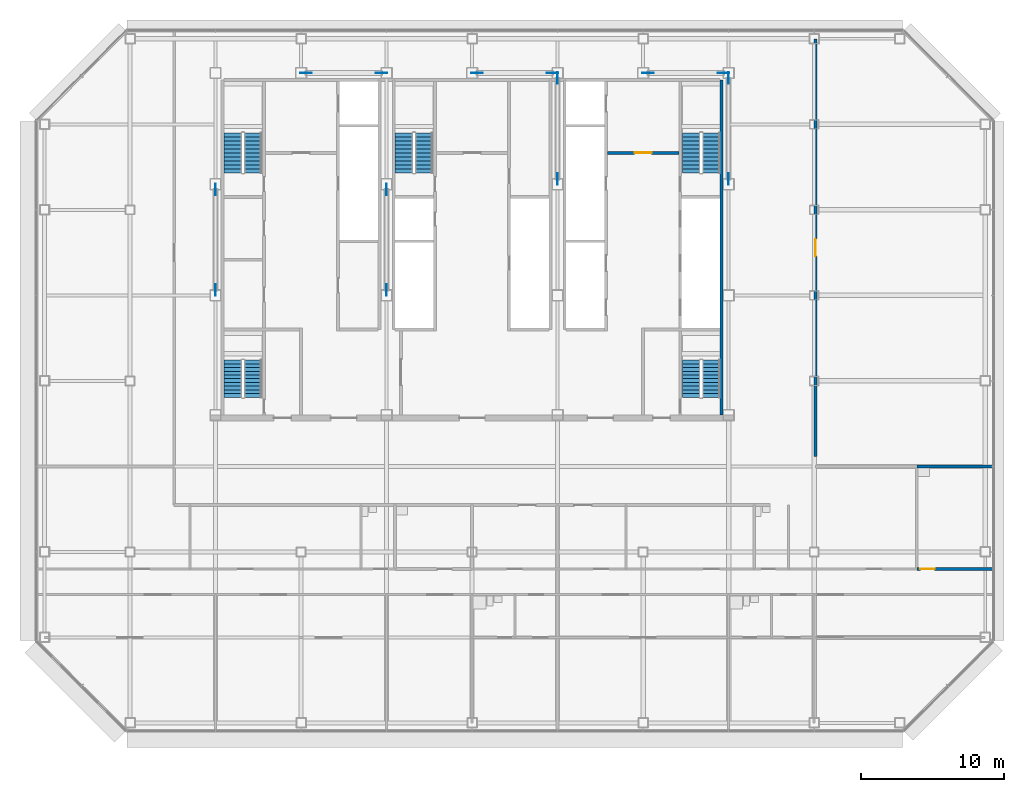
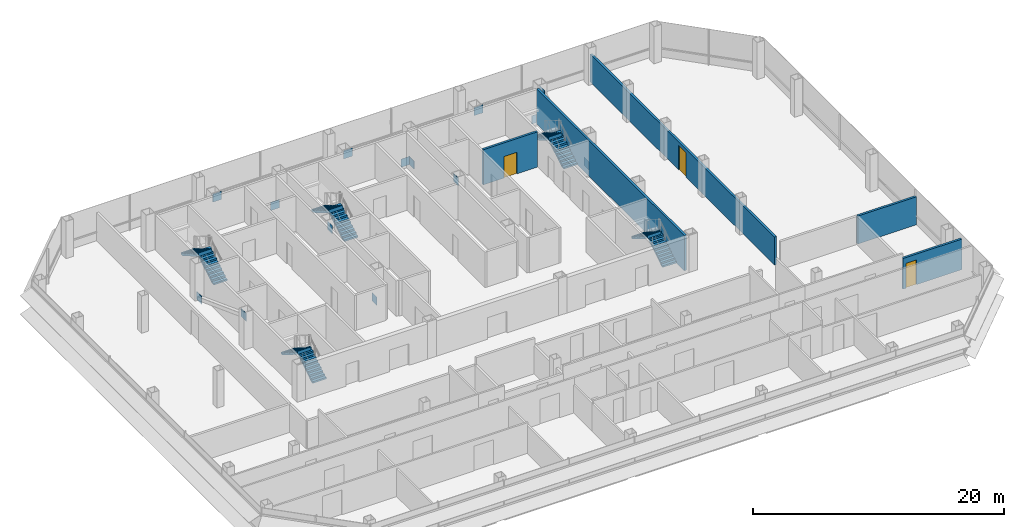
# One storey, part 22 of 24: 14 discrete accessories, 10 stair flights, 5 walls, 3 doors, 3 openings, 5 elements without a shape of their own.
"""IFC4 building model written with IfcOpenShell, lengths in metres."""

from ifc_helpers import new_model, si_unit, direction, frame, frame_2d, origin, origin_2d, place, context, subcontext, project, spatial, polyline, rectangle, outline, extrude, material, layer, layer_set, type_object, element, fill, aggregate, save


model = new_model("IFC4")

# Units and contexts
model_context = context("Model", 3, precision=1e-05, world=origin(), true_north=direction((0.0, 1.0)))
body_context = subcontext(model_context, "Body", "Model", "MODEL_VIEW")
ifc_project = project(units=[si_unit("LENGTHUNIT", "METRE"), si_unit("AREAUNIT", "SQUARE_METRE"), si_unit("VOLUMEUNIT", "CUBIC_METRE"), si_unit("PLANEANGLEUNIT", "RADIAN"), si_unit("MASSUNIT", "GRAM", prefix="KILO")], contexts=[model_context])

# Site, building, storey
site_placement = place(None, origin())
site = spatial("IfcSite", under=ifc_project, at=site_placement, CompositionType="ELEMENT")
building_placement = place(site_placement, origin())
building = spatial("IfcBuilding", under=site, at=building_placement, Name="Sorahane Residences", CompositionType="ELEMENT")
storey_placement = place(building_placement, frame((0.0, 0.0, 178.0)))
storey = spatial("IfcBuildingStorey", under=building, at=storey_placement, Name="L41", CompositionType="ELEMENT", Elevation=178.0)

# Wall
ifc_material_1 = material(Name="Concrete C30", Category="concrete")
ifc_layer_1 = layer(ifc_material_1, 0.199951171875)
ifc_layer_set_1 = layer_set([ifc_layer_1], Name="Core face wall 200 EI 180")
wall_type_1 = type_object("IfcWallType", Name="Core face wall 200 EI 180", PredefinedType="SOLIDWALL", material=ifc_layer_set_1)
wall_1_placement = place(storey_placement, frame((41.5, 21.60009765625, 0.0), z_axis=(0.0, 0.0, 1.0), x_axis=(0.0, 1.0, 0.0)))
element("IfcWall", 1, at=wall_1_placement, inside=storey, type_object=wall_type_1, Name="L41 core face wall", PredefinedType="SOLIDWALL", context=body_context, shape_type="SweptSolid", body=[
    extrude(rectangle(XDim=23.5, YDim=0.199951171875, at=frame_2d((11.75, 0.0))), origin(), (0.0, 0.0, 1.0), 3.419921875),
])

# Wall, opening, door
ifc_material_2 = material(Name="Concrete blockwork C20 wall", Category="masonry")
ifc_layer_2 = layer(ifc_material_2, 0.199951171875)
ifc_layer_set_2 = layer_set([ifc_layer_2], Name="Corridor wall 200 EI 120")
wall_type_2 = type_object("IfcWallType", Name="Corridor wall 200 EI 120", PredefinedType="SOLIDWALL", material=ifc_layer_set_2)
wall_2_placement = place(storey_placement, frame((48.10009765625, 18.699951171875, 0.0), z_axis=(0.0, 0.0, 1.0), x_axis=(0.0, 1.0, 0.0)))
wall_2 = element("IfcWall", 2, at=wall_2_placement, inside=storey, type_object=wall_type_2, Name="L41 corridor wall", PredefinedType="SOLIDWALL", context=body_context, shape_type="SweptSolid", body=[
    extrude(rectangle(XDim=29.300048828125, YDim=0.199951171875, at=frame_2d((14.64990234375, 0.0))), origin(), (0.0, 0.0, 1.0), 2.719970703125),
])
opening_1_placement = place(wall_2_placement, frame((14.050048828125, 0.0, 0.0)))
opening_1 = element("IfcOpeningElement", 3, at=opening_1_placement, cuts=wall_2, Name="Opening L41-29", PredefinedType="OPENING", context=body_context, shape_type="SweptSolid", body=[
    extrude(rectangle(XDim=1.199951171875, YDim=2.39990234375, at=frame_2d((0.60009765625, 1.199951171875))), frame((0.0, 0.10986328125, 0.0), z_axis=(0.0, -1.0, 0.0), x_axis=(1.0, 0.0, 0.0)), (0.0, 0.0, 1.0), 0.219970703125),
])
ifc_material_3 = material(Name="Steel", Category="steel")
door_type_1 = type_object("IfcDoorType", Name="Lobby door 1200x2400 FD60", OperationType="NOTDEFINED", PredefinedType="DOOR", material=ifc_material_3)
door_1_placement = place(opening_1_placement, frame((1.199951171875, 0.0, 0.0), z_axis=(0.0, 0.0, 1.0), x_axis=(-1.0, 0.0, 0.0)))
door_1 = element("IfcDoor", 4, at=door_1_placement, inside=storey, type_object=door_type_1, Name="Lobby door L41-29", OperationType="SINGLE_SWING_RIGHT", OverallHeight=2.39990234375, OverallWidth=1.199951171875, PredefinedType="DOOR", context=body_context, shape_type="SweptSolid", body=[
    extrude(rectangle(XDim=1.199951171875, YDim=2.39990234375, at=frame_2d((0.60009765625, 1.199951171875))), frame((0.0, 0.02490234375, 0.0), z_axis=(0.0, -1.0, 0.0), x_axis=(1.0, 0.0, 0.0)), (0.0, 0.0, 1.0), 0.050048828125),
])
fill(opening_1, door_1)

ifc_material_4 = material(Name="Concrete C30", Category="concrete")
ifc_layer_3 = layer(ifc_material_4, 0.199951171875)
ifc_layer_set_3 = layer_set([ifc_layer_3], Name="Front room wall 200 EI 120")
wall_type_3 = type_object("IfcWallType", Name="Front room wall 200 EI 120", PredefinedType="PARTITIONING", material=ifc_layer_set_3)
wall_3_placement = place(storey_placement, frame((33.5, 40.0, 0.0), z_axis=(0.0, 0.0, 1.0), x_axis=(1.0, 0.0, 0.0)))
wall_3 = element("IfcWall", 5, at=wall_3_placement, inside=storey, type_object=wall_type_3, Name="L41 front room wall", PredefinedType="PARTITIONING", context=body_context, shape_type="SweptSolid", body=[
    extrude(rectangle(XDim=5.0, YDim=0.199951171875, at=frame_2d((2.5, 0.0))), origin(), (0.0, 0.0, 1.0), 3.419921875),
])
opening_2_placement = place(wall_3_placement, frame((1.89990234375, 0.0, 0.0)))
opening_2 = element("IfcOpeningElement", 6, at=opening_2_placement, cuts=wall_3, Name="Opening L41-C09", PredefinedType="OPENING", context=body_context, shape_type="SweptSolid", body=[
    extrude(rectangle(XDim=1.199951171875, YDim=2.10009765625, at=frame_2d((0.60009765625, 1.050048828125))), frame((0.0, 0.10986328125, 0.0), z_axis=(0.0, -1.0, 0.0), x_axis=(1.0, 0.0, 0.0)), (0.0, 0.0, 1.0), 0.219970703125),
])
ifc_material_5 = material(Name="Steel", Category="steel")
door_type_2 = type_object("IfcDoorType", Name="Front room door 1200x2100 FD120", OperationType="NOTDEFINED", PredefinedType="DOOR", material=ifc_material_5)
door_2_placement = place(opening_2_placement, frame((1.199951171875, 0.0, 0.0), z_axis=(0.0, 0.0, 1.0), x_axis=(-1.0, 0.0, 0.0)))
door_2 = element("IfcDoor", 7, at=door_2_placement, inside=storey, type_object=door_type_2, Name="Front room door Firefighting lobby FF2 front room L41", OperationType="DOUBLE_DOOR_SINGLE_SWING", OverallHeight=2.10009765625, OverallWidth=1.199951171875, PredefinedType="DOOR", context=body_context, shape_type="SweptSolid", body=[
    extrude(rectangle(XDim=1.199951171875, YDim=2.10009765625, at=frame_2d((0.60009765625, 1.050048828125))), frame((0.0, 0.02490234375, 0.0), z_axis=(0.0, -1.0, 0.0), x_axis=(1.0, 0.0, 0.0)), (0.0, 0.0, 1.0), 0.050048828125),
])
fill(opening_2, door_2)

ifc_material_6 = material(Name="Concrete blockwork C20 wall", Category="masonry")
ifc_layer_4 = layer(ifc_material_6, 0.199951171875)
ifc_layer_set_4 = layer_set([ifc_layer_4], Name="Kitchen wall 200 EI 180")
wall_type_4 = type_object("IfcWallType", Name="Kitchen wall 200 EI 180", PredefinedType="SOLIDWALL", material=ifc_layer_set_4)
wall_4_placement = place(storey_placement, frame((55.199951171875, 10.800048828125, 0.0), z_axis=(0.0, 0.0, 1.0), x_axis=(1.0, 0.0, 0.0)))
wall_4 = element("IfcWall", 8, at=wall_4_placement, inside=storey, type_object=wall_type_4, Name="L41 kitchen wall", PredefinedType="SOLIDWALL", context=body_context, shape_type="SweptSolid", body=[
    extrude(rectangle(XDim=5.400146484375, YDim=0.199951171875, at=frame_2d((2.7001953125, 0.0))), origin(), (0.0, 0.0, 1.0), 2.969970703125),
])
opening_3_placement = place(wall_4_placement, frame((0.25, 0.0, 0.0)))
opening_3 = element("IfcOpeningElement", 9, at=opening_3_placement, cuts=wall_4, Name="Opening L41-18", PredefinedType="OPENING", context=body_context, shape_type="SweptSolid", body=[
    extrude(rectangle(XDim=1.0, YDim=2.39990234375, at=frame_2d((0.5, 1.199951171875))), frame((0.0, 0.10986328125, 0.0), z_axis=(0.0, -1.0, 0.0), x_axis=(1.0, 0.0, 0.0)), (0.0, 0.0, 1.0), 0.219970703125),
])
ifc_material_7 = material(Name="Steel", Category="steel")
door_type_3 = type_object("IfcDoorType", Name="Kitchen door 1000x2400 FD120", OperationType="NOTDEFINED", PredefinedType="DOOR", material=ifc_material_7)
door_3_placement = place(opening_3_placement, origin())
door_3 = element("IfcDoor", 10, at=door_3_placement, inside=storey, type_object=door_type_3, Name="Kitchen door L41-18", OperationType="SINGLE_SWING_RIGHT", OverallHeight=2.39990234375, OverallWidth=1.0, PredefinedType="DOOR", context=body_context, shape_type="SweptSolid", body=[
    extrude(rectangle(XDim=1.0, YDim=2.39990234375, at=frame_2d((0.5, 1.199951171875))), frame((0.0, 0.02490234375, 0.0), z_axis=(0.0, -1.0, 0.0), x_axis=(1.0, 0.0, 0.0)), (0.0, 0.0, 1.0), 0.050048828125),
])
fill(opening_3, door_3)

# Wall
wall_5_placement = place(storey_placement, frame((55.199951171875, 18.0, 0.0), z_axis=(0.0, 0.0, 1.0), x_axis=(1.0, 0.0, 0.0)))
element("IfcWall", 11, at=wall_5_placement, inside=storey, type_object=wall_type_4, Name="L41 kitchen wall", PredefinedType="SOLIDWALL", context=body_context, shape_type="SweptSolid", body=[
    extrude(rectangle(XDim=5.400146484375, YDim=0.199951171875, at=frame_2d((2.7001953125, 0.0))), origin(), (0.0, 0.0, 1.0), 2.719970703125),
])

# Stair, stair flights
ifc_material_8 = material(Name="Concrete C40", Category="concrete")
stair_type = type_object("IfcStairType", Name="Dog-leg stair 1250 Concrete C40", PredefinedType="HALF_TURN_STAIR", material=ifc_material_8)
stair_1_placement = place(storey_placement, origin())
stair_1 = element("IfcStair", 12, at=stair_1_placement, inside=storey, type_object=stair_type, Name="L41 Stair S1", PredefinedType="HALF_TURN_STAIR")
ifc_material_9 = material(Name="Concrete C40", Category="concrete")
stair_flight_type = type_object("IfcStairFlightType", Name="Stair flight 1250 Concrete C40", PredefinedType="STRAIGHT", material=ifc_material_9)
stair_flight_1_placement = place(storey_placement, frame((8.625, 38.60009765625, 0.0), z_axis=(0.0, 0.0, 1.0), x_axis=(0.0, 1.0, 0.0)))
stair_flight_1 = element("IfcStairFlight", 13, at=stair_flight_1_placement, type_object=stair_flight_type, Name="S1 flight 1", NumberOfRisers=11, NumberOfTreads=10, PredefinedType="STRAIGHT", RiserHeight=0.163636364, TreadLength=0.28, context=body_context, shape_type="SweptSolid", body=[
    extrude(outline(polyline([(-0.00146484375, 0.0), (-0.00146484375, 0.16357421875), (0.0, 0.16357421875), (0.280029296875, 0.16357421875), (0.280029296875, 0.327392578125), (0.56005859375, 0.327392578125), (0.56005859375, 0.490966796875), (0.840087890625, 0.490966796875), (0.840087890625, 0.654541015625), (1.1201171875, 0.654541015625), (1.1201171875, 0.818115234375), (1.39990234375, 0.818115234375), (1.39990234375, 0.98193359375), (1.679931640625, 0.98193359375), (1.679931640625, 1.1455078125), (1.9599609375, 1.1455078125), (1.9599609375, 1.30908203125), (2.239990234375, 1.30908203125), (2.239990234375, 1.47265625), (2.52001953125, 1.47265625), (2.52001953125, 1.636474609375), (2.800048828125, 1.636474609375), (2.800048828125, 1.800048828125), (2.800048828125, 1.462646484375), (2.59130859375, 1.3408203125), (2.3828125, 1.218994140625), (2.17431640625, 1.09716796875), (1.965576171875, 0.97509765625), (1.757080078125, 0.853271484375), (1.548583984375, 0.7314453125), (1.340087890625, 0.609375), (1.13134765625, 0.487548828125), (0.9228515625, 0.36572265625), (0.71435546875, 0.243896484375), (0.505615234375, 0.121826171875), (0.297119140625, 0.0), (-0.00146484375, 0.0)])), frame((0.0, 0.625, 0.0), z_axis=(0.0, -1.0, 0.0), x_axis=(1.0, 0.0, 0.0)), (0.0, 0.0, 1.0), 1.25),
])
stair_flight_2_placement = place(storey_placement, frame((7.22509765625, 41.39990234375, 1.800048828125), z_axis=(0.0, 0.0, 1.0), x_axis=(0.0, -1.0, 0.0)))
stair_flight_2 = element("IfcStairFlight", 14, at=stair_flight_2_placement, type_object=stair_flight_type, Name="S1 flight 2", NumberOfRisers=11, NumberOfTreads=10, PredefinedType="STRAIGHT", RiserHeight=0.163636364, TreadLength=0.28, context=body_context, shape_type="SweptSolid", body=[
    extrude(outline(polyline([(0.0, 0.0), (0.0, 0.16357421875), (0.280029296875, 0.16357421875), (0.280029296875, 0.327392578125), (0.56005859375, 0.327392578125), (0.56005859375, 0.490966796875), (0.840087890625, 0.490966796875), (0.840087890625, 0.654541015625), (1.1201171875, 0.654541015625), (1.1201171875, 0.818115234375), (1.39990234375, 0.818115234375), (1.39990234375, 0.98193359375), (1.679931640625, 0.98193359375), (1.679931640625, 1.1455078125), (1.9599609375, 1.1455078125), (1.9599609375, 1.30908203125), (2.239990234375, 1.30908203125), (2.239990234375, 1.47265625), (2.52001953125, 1.47265625), (2.52001953125, 1.636474609375), (2.800048828125, 1.636474609375), (2.800048828125, 1.800048828125), (2.801513671875, 1.800048828125), (2.801513671875, 1.462646484375), (2.5927734375, 1.3408203125), (2.384033203125, 1.218994140625), (2.17529296875, 1.09716796875), (1.966796875, 0.97509765625), (1.758056640625, 0.853271484375), (1.54931640625, 0.7314453125), (1.340576171875, 0.609375), (1.1318359375, 0.487548828125), (0.923095703125, 0.36572265625), (0.714599609375, 0.243896484375), (0.505859375, 0.121826171875), (0.297119140625, 0.0), (0.0, 0.0)])), frame((0.0, 0.625, 0.0), z_axis=(0.0, -1.0, 0.0), x_axis=(1.0, 0.0, 0.0)), (0.0, 0.0, 1.0), 1.25),
])
aggregate(stair_1, [stair_flight_1, stair_flight_2])

stair_2_placement = place(storey_placement, origin())
stair_2 = element("IfcStair", 15, at=stair_2_placement, inside=storey, type_object=stair_type, Name="L41 Stair S2", PredefinedType="HALF_TURN_STAIR")
stair_flight_3_placement = place(storey_placement, frame((40.77490234375, 38.60009765625, 0.0), z_axis=(0.0, 0.0, 1.0), x_axis=(0.0, 1.0, 0.0)))
stair_flight_3 = element("IfcStairFlight", 16, at=stair_flight_3_placement, type_object=stair_flight_type, Name="S2 flight 1", NumberOfRisers=11, NumberOfTreads=10, PredefinedType="STRAIGHT", RiserHeight=0.163636364, TreadLength=0.28, context=body_context, shape_type="SweptSolid", body=[
    extrude(outline(polyline([(-0.00146484375, 0.0), (-0.00146484375, 0.16357421875), (0.0, 0.16357421875), (0.280029296875, 0.16357421875), (0.280029296875, 0.327392578125), (0.56005859375, 0.327392578125), (0.56005859375, 0.490966796875), (0.840087890625, 0.490966796875), (0.840087890625, 0.654541015625), (1.1201171875, 0.654541015625), (1.1201171875, 0.818115234375), (1.39990234375, 0.818115234375), (1.39990234375, 0.98193359375), (1.679931640625, 0.98193359375), (1.679931640625, 1.1455078125), (1.9599609375, 1.1455078125), (1.9599609375, 1.30908203125), (2.239990234375, 1.30908203125), (2.239990234375, 1.47265625), (2.52001953125, 1.47265625), (2.52001953125, 1.636474609375), (2.800048828125, 1.636474609375), (2.800048828125, 1.800048828125), (2.800048828125, 1.462646484375), (2.59130859375, 1.3408203125), (2.3828125, 1.218994140625), (2.17431640625, 1.09716796875), (1.965576171875, 0.97509765625), (1.757080078125, 0.853271484375), (1.548583984375, 0.7314453125), (1.340087890625, 0.609375), (1.13134765625, 0.487548828125), (0.9228515625, 0.36572265625), (0.71435546875, 0.243896484375), (0.505615234375, 0.121826171875), (0.297119140625, 0.0), (-0.00146484375, 0.0)])), frame((0.0, 0.625, 0.0), z_axis=(0.0, -1.0, 0.0), x_axis=(1.0, 0.0, 0.0)), (0.0, 0.0, 1.0), 1.25),
])
stair_flight_4_placement = place(storey_placement, frame((39.375, 41.39990234375, 1.800048828125), z_axis=(0.0, 0.0, 1.0), x_axis=(0.0, -1.0, 0.0)))
stair_flight_4 = element("IfcStairFlight", 17, at=stair_flight_4_placement, type_object=stair_flight_type, Name="S2 flight 2", NumberOfRisers=11, NumberOfTreads=10, PredefinedType="STRAIGHT", RiserHeight=0.163636364, TreadLength=0.28, context=body_context, shape_type="SweptSolid", body=[
    extrude(outline(polyline([(0.0, 0.0), (0.0, 0.16357421875), (0.280029296875, 0.16357421875), (0.280029296875, 0.327392578125), (0.56005859375, 0.327392578125), (0.56005859375, 0.490966796875), (0.840087890625, 0.490966796875), (0.840087890625, 0.654541015625), (1.1201171875, 0.654541015625), (1.1201171875, 0.818115234375), (1.39990234375, 0.818115234375), (1.39990234375, 0.98193359375), (1.679931640625, 0.98193359375), (1.679931640625, 1.1455078125), (1.9599609375, 1.1455078125), (1.9599609375, 1.30908203125), (2.239990234375, 1.30908203125), (2.239990234375, 1.47265625), (2.52001953125, 1.47265625), (2.52001953125, 1.636474609375), (2.800048828125, 1.636474609375), (2.800048828125, 1.800048828125), (2.801513671875, 1.800048828125), (2.801513671875, 1.462646484375), (2.5927734375, 1.3408203125), (2.384033203125, 1.218994140625), (2.17529296875, 1.09716796875), (1.966796875, 0.97509765625), (1.758056640625, 0.853271484375), (1.54931640625, 0.7314453125), (1.340576171875, 0.609375), (1.1318359375, 0.487548828125), (0.923095703125, 0.36572265625), (0.714599609375, 0.243896484375), (0.505859375, 0.121826171875), (0.297119140625, 0.0), (0.0, 0.0)])), frame((0.0, 0.625, 0.0), z_axis=(0.0, -1.0, 0.0), x_axis=(1.0, 0.0, 0.0)), (0.0, 0.0, 1.0), 1.25),
])
aggregate(stair_2, [stair_flight_3, stair_flight_4])

stair_3_placement = place(storey_placement, origin())
stair_3 = element("IfcStair", 18, at=stair_3_placement, inside=storey, type_object=stair_type, Name="L41 Stair S3", PredefinedType="HALF_TURN_STAIR")
stair_flight_5_placement = place(storey_placement, frame((20.625, 38.60009765625, 0.0), z_axis=(0.0, 0.0, 1.0), x_axis=(0.0, 1.0, 0.0)))
stair_flight_5 = element("IfcStairFlight", 19, at=stair_flight_5_placement, type_object=stair_flight_type, Name="S3 flight 1", NumberOfRisers=11, NumberOfTreads=10, PredefinedType="STRAIGHT", RiserHeight=0.163636364, TreadLength=0.28, context=body_context, shape_type="SweptSolid", body=[
    extrude(outline(polyline([(-0.00146484375, 0.0), (-0.00146484375, 0.16357421875), (0.0, 0.16357421875), (0.280029296875, 0.16357421875), (0.280029296875, 0.327392578125), (0.56005859375, 0.327392578125), (0.56005859375, 0.490966796875), (0.840087890625, 0.490966796875), (0.840087890625, 0.654541015625), (1.1201171875, 0.654541015625), (1.1201171875, 0.818115234375), (1.39990234375, 0.818115234375), (1.39990234375, 0.98193359375), (1.679931640625, 0.98193359375), (1.679931640625, 1.1455078125), (1.9599609375, 1.1455078125), (1.9599609375, 1.30908203125), (2.239990234375, 1.30908203125), (2.239990234375, 1.47265625), (2.52001953125, 1.47265625), (2.52001953125, 1.636474609375), (2.800048828125, 1.636474609375), (2.800048828125, 1.800048828125), (2.800048828125, 1.462646484375), (2.59130859375, 1.3408203125), (2.3828125, 1.218994140625), (2.17431640625, 1.09716796875), (1.965576171875, 0.97509765625), (1.757080078125, 0.853271484375), (1.548583984375, 0.7314453125), (1.340087890625, 0.609375), (1.13134765625, 0.487548828125), (0.9228515625, 0.36572265625), (0.71435546875, 0.243896484375), (0.505615234375, 0.121826171875), (0.297119140625, 0.0), (-0.00146484375, 0.0)])), frame((0.0, 0.625, 0.0), z_axis=(0.0, -1.0, 0.0), x_axis=(1.0, 0.0, 0.0)), (0.0, 0.0, 1.0), 1.25),
])
stair_flight_6_placement = place(storey_placement, frame((19.22509765625, 41.39990234375, 1.800048828125), z_axis=(0.0, 0.0, 1.0), x_axis=(0.0, -1.0, 0.0)))
stair_flight_6 = element("IfcStairFlight", 20, at=stair_flight_6_placement, type_object=stair_flight_type, Name="S3 flight 2", NumberOfRisers=11, NumberOfTreads=10, PredefinedType="STRAIGHT", RiserHeight=0.163636364, TreadLength=0.28, context=body_context, shape_type="SweptSolid", body=[
    extrude(outline(polyline([(0.0, 0.0), (0.0, 0.16357421875), (0.280029296875, 0.16357421875), (0.280029296875, 0.327392578125), (0.56005859375, 0.327392578125), (0.56005859375, 0.490966796875), (0.840087890625, 0.490966796875), (0.840087890625, 0.654541015625), (1.1201171875, 0.654541015625), (1.1201171875, 0.818115234375), (1.39990234375, 0.818115234375), (1.39990234375, 0.98193359375), (1.679931640625, 0.98193359375), (1.679931640625, 1.1455078125), (1.9599609375, 1.1455078125), (1.9599609375, 1.30908203125), (2.239990234375, 1.30908203125), (2.239990234375, 1.47265625), (2.52001953125, 1.47265625), (2.52001953125, 1.636474609375), (2.800048828125, 1.636474609375), (2.800048828125, 1.800048828125), (2.801513671875, 1.800048828125), (2.801513671875, 1.462646484375), (2.5927734375, 1.3408203125), (2.384033203125, 1.218994140625), (2.17529296875, 1.09716796875), (1.966796875, 0.97509765625), (1.758056640625, 0.853271484375), (1.54931640625, 0.7314453125), (1.340576171875, 0.609375), (1.1318359375, 0.487548828125), (0.923095703125, 0.36572265625), (0.714599609375, 0.243896484375), (0.505859375, 0.121826171875), (0.297119140625, 0.0), (0.0, 0.0)])), frame((0.0, 0.625, 0.0), z_axis=(0.0, -1.0, 0.0), x_axis=(1.0, 0.0, 0.0)), (0.0, 0.0, 1.0), 1.25),
])
aggregate(stair_3, [stair_flight_5, stair_flight_6])

stair_4_placement = place(storey_placement, origin())
stair_4 = element("IfcStair", 21, at=stair_4_placement, inside=storey, type_object=stair_type, Name="L41 Stair S4", PredefinedType="HALF_TURN_STAIR")
stair_flight_7_placement = place(storey_placement, frame((8.625, 22.85009765625, 0.0), z_axis=(0.0, 0.0, 1.0), x_axis=(0.0, 1.0, 0.0)))
stair_flight_7 = element("IfcStairFlight", 22, at=stair_flight_7_placement, type_object=stair_flight_type, Name="S4 flight 1", NumberOfRisers=11, NumberOfTreads=10, PredefinedType="STRAIGHT", RiserHeight=0.163636364, TreadLength=0.26, context=body_context, shape_type="SweptSolid", body=[
    extrude(outline(polyline([(-0.00146484375, 0.0), (-0.00146484375, 0.16357421875), (0.0, 0.16357421875), (0.260009765625, 0.16357421875), (0.260009765625, 0.327392578125), (0.52001953125, 0.327392578125), (0.52001953125, 0.490966796875), (0.780029296875, 0.490966796875), (0.780029296875, 0.654541015625), (1.0400390625, 0.654541015625), (1.0400390625, 0.818115234375), (1.300048828125, 0.818115234375), (1.300048828125, 0.98193359375), (1.56005859375, 0.98193359375), (1.56005859375, 1.1455078125), (1.820068359375, 1.1455078125), (1.820068359375, 1.30908203125), (2.080078125, 1.30908203125), (2.080078125, 1.47265625), (2.340087890625, 1.47265625), (2.340087890625, 1.636474609375), (2.60009765625, 1.636474609375), (2.60009765625, 1.800048828125), (2.60009765625, 1.494384765625), (2.402099609375, 1.369873046875), (2.204345703125, 1.245361328125), (2.00634765625, 1.120849609375), (1.80859375, 0.996337890625), (1.610595703125, 0.871826171875), (1.412841796875, 0.747314453125), (1.21484375, 0.622802734375), (1.01708984375, 0.498046875), (0.819091796875, 0.37353515625), (0.621337890625, 0.2490234375), (0.42333984375, 0.12451171875), (0.2255859375, 0.0), (-0.00146484375, 0.0)])), frame((0.0, 0.625, 0.0), z_axis=(0.0, -1.0, 0.0), x_axis=(1.0, 0.0, 0.0)), (0.0, 0.0, 1.0), 1.25),
])
stair_flight_8_placement = place(storey_placement, frame((7.22509765625, 25.449951171875, 1.800048828125), z_axis=(0.0, 0.0, 1.0), x_axis=(0.0, -1.0, 0.0)))
stair_flight_8 = element("IfcStairFlight", 23, at=stair_flight_8_placement, type_object=stair_flight_type, Name="S4 flight 2", NumberOfRisers=11, NumberOfTreads=10, PredefinedType="STRAIGHT", RiserHeight=0.163636364, TreadLength=0.26, context=body_context, shape_type="SweptSolid", body=[
    extrude(outline(polyline([(0.0, 0.0), (0.0, 0.16357421875), (0.260009765625, 0.16357421875), (0.260009765625, 0.327392578125), (0.52001953125, 0.327392578125), (0.52001953125, 0.490966796875), (0.780029296875, 0.490966796875), (0.780029296875, 0.654541015625), (1.0400390625, 0.654541015625), (1.0400390625, 0.818115234375), (1.300048828125, 0.818115234375), (1.300048828125, 0.98193359375), (1.56005859375, 0.98193359375), (1.56005859375, 1.1455078125), (1.820068359375, 1.1455078125), (1.820068359375, 1.30908203125), (2.080078125, 1.30908203125), (2.080078125, 1.47265625), (2.340087890625, 1.47265625), (2.340087890625, 1.636474609375), (2.60009765625, 1.636474609375), (2.60009765625, 1.800048828125), (2.6015625, 1.800048828125), (2.6015625, 1.494384765625), (2.403564453125, 1.369873046875), (2.20556640625, 1.245361328125), (2.007568359375, 1.120849609375), (1.8095703125, 0.996337890625), (1.611572265625, 0.871826171875), (1.41357421875, 0.747314453125), (1.215576171875, 0.622802734375), (1.017578125, 0.498046875), (0.819580078125, 0.37353515625), (0.62158203125, 0.2490234375), (0.423583984375, 0.12451171875), (0.2255859375, 0.0), (0.0, 0.0)])), frame((0.0, 0.625, 0.0), z_axis=(0.0, -1.0, 0.0), x_axis=(1.0, 0.0, 0.0)), (0.0, 0.0, 1.0), 1.25),
])
aggregate(stair_4, [stair_flight_7, stair_flight_8])

stair_5_placement = place(storey_placement, origin())
stair_5 = element("IfcStair", 24, at=stair_5_placement, inside=storey, type_object=stair_type, Name="L41 Stair S5", PredefinedType="HALF_TURN_STAIR")
stair_flight_9_placement = place(storey_placement, frame((40.77490234375, 22.85009765625, 0.0), z_axis=(0.0, 0.0, 1.0), x_axis=(0.0, 1.0, 0.0)))
stair_flight_9 = element("IfcStairFlight", 25, at=stair_flight_9_placement, type_object=stair_flight_type, Name="S5 flight 1", NumberOfRisers=11, NumberOfTreads=10, PredefinedType="STRAIGHT", RiserHeight=0.163636364, TreadLength=0.26, context=body_context, shape_type="SweptSolid", body=[
    extrude(outline(polyline([(-0.00146484375, 0.0), (-0.00146484375, 0.16357421875), (0.0, 0.16357421875), (0.260009765625, 0.16357421875), (0.260009765625, 0.327392578125), (0.52001953125, 0.327392578125), (0.52001953125, 0.490966796875), (0.780029296875, 0.490966796875), (0.780029296875, 0.654541015625), (1.0400390625, 0.654541015625), (1.0400390625, 0.818115234375), (1.300048828125, 0.818115234375), (1.300048828125, 0.98193359375), (1.56005859375, 0.98193359375), (1.56005859375, 1.1455078125), (1.820068359375, 1.1455078125), (1.820068359375, 1.30908203125), (2.080078125, 1.30908203125), (2.080078125, 1.47265625), (2.340087890625, 1.47265625), (2.340087890625, 1.636474609375), (2.60009765625, 1.636474609375), (2.60009765625, 1.800048828125), (2.60009765625, 1.494384765625), (2.402099609375, 1.369873046875), (2.204345703125, 1.245361328125), (2.00634765625, 1.120849609375), (1.80859375, 0.996337890625), (1.610595703125, 0.871826171875), (1.412841796875, 0.747314453125), (1.21484375, 0.622802734375), (1.01708984375, 0.498046875), (0.819091796875, 0.37353515625), (0.621337890625, 0.2490234375), (0.42333984375, 0.12451171875), (0.2255859375, 0.0), (-0.00146484375, 0.0)])), frame((0.0, 0.625, 0.0), z_axis=(0.0, -1.0, 0.0), x_axis=(1.0, 0.0, 0.0)), (0.0, 0.0, 1.0), 1.25),
])
stair_flight_10_placement = place(storey_placement, frame((39.375, 25.449951171875, 1.800048828125), z_axis=(0.0, 0.0, 1.0), x_axis=(0.0, -1.0, 0.0)))
stair_flight_10 = element("IfcStairFlight", 26, at=stair_flight_10_placement, type_object=stair_flight_type, Name="S5 flight 2", NumberOfRisers=11, NumberOfTreads=10, PredefinedType="STRAIGHT", RiserHeight=0.163636364, TreadLength=0.26, context=body_context, shape_type="SweptSolid", body=[
    extrude(outline(polyline([(0.0, 0.0), (0.0, 0.16357421875), (0.260009765625, 0.16357421875), (0.260009765625, 0.327392578125), (0.52001953125, 0.327392578125), (0.52001953125, 0.490966796875), (0.780029296875, 0.490966796875), (0.780029296875, 0.654541015625), (1.0400390625, 0.654541015625), (1.0400390625, 0.818115234375), (1.300048828125, 0.818115234375), (1.300048828125, 0.98193359375), (1.56005859375, 0.98193359375), (1.56005859375, 1.1455078125), (1.820068359375, 1.1455078125), (1.820068359375, 1.30908203125), (2.080078125, 1.30908203125), (2.080078125, 1.47265625), (2.340087890625, 1.47265625), (2.340087890625, 1.636474609375), (2.60009765625, 1.636474609375), (2.60009765625, 1.800048828125), (2.6015625, 1.800048828125), (2.6015625, 1.494384765625), (2.403564453125, 1.369873046875), (2.20556640625, 1.245361328125), (2.007568359375, 1.120849609375), (1.8095703125, 0.996337890625), (1.611572265625, 0.871826171875), (1.41357421875, 0.747314453125), (1.215576171875, 0.622802734375), (1.017578125, 0.498046875), (0.819580078125, 0.37353515625), (0.62158203125, 0.2490234375), (0.423583984375, 0.12451171875), (0.2255859375, 0.0), (0.0, 0.0)])), frame((0.0, 0.625, 0.0), z_axis=(0.0, -1.0, 0.0), x_axis=(1.0, 0.0, 0.0)), (0.0, 0.0, 1.0), 1.25),
])
aggregate(stair_5, [stair_flight_9, stair_flight_10])

# Discrete accessories
ifc_material_10 = material(Name="Steel Q355B", Category="steel")
ifc_layer_5 = layer(ifc_material_10, 0.02490234375)
ifc_layer_set_5 = layer_set([ifc_layer_5], Name="Node plate Steel Q355B 25")
discrete_accessory_type = type_object("IfcDiscreteAccessoryType", Name="Node plate Steel Q355B 25", PredefinedType="BRACKET", material=ifc_layer_set_5)
for number, where, z_axis, x_axis, name in (
    (27, (6.0, 37.436767578125, -0.23876953125), (0.0, 0.0, 1.0), (0.0, 1.0, 0.0), "Node plate L41 br"),
    (28, (6.0, 30.36328125, 2.40869140625), (0.0, 0.0, 1.0), (0.0, 1.0, 0.0), "Node plate L41 br"),
    (29, (18.0, 30.36328125, -0.23876953125), (0.0, 0.0, 1.0), (0.0, 1.0, 0.0), "Node plate L41 br"),
    (30, (18.0, 37.436767578125, 2.40869140625), (0.0, 0.0, 1.0), (0.0, 1.0, 0.0), "Node plate L41 br"),
    (31, (30.0, 45.23681640625, -0.23876953125), (0.0, 0.0, 1.0), (0.0, 1.0, 0.0), "Node plate L41 br"),
    (32, (30.0, 38.1630859375, 2.40869140625), (0.0, 0.0, 1.0), (0.0, 1.0, 0.0), "Node plate L41 br"),
    (33, (42.0, 38.1630859375, -0.23876953125), (0.0, 0.0, 1.0), (0.0, 1.0, 0.0), "Node plate L41 br"),
    (34, (42.0, 45.23681640625, 2.40869140625), (0.0, 0.0, 1.0), (0.0, 1.0, 0.0), "Node plate L41 br"),
    (35, (17.647216796875, 45.60009765625, -0.2490234375), (0.0, 0.0, 1.0), (1.0, 0.0, 0.0), "Node plate L41 br"),
    (36, (29.647216796875, 45.60009765625, -0.2490234375), (0.0, 0.0, 1.0), (1.0, 0.0, 0.0), "Node plate L41 br"),
    (37, (41.647216796875, 45.60009765625, -0.2490234375), (0.0, 0.0, 1.0), (1.0, 0.0, 0.0), "Node plate L41 br"),
    (38, (12.352783203125, 45.60009765625, 2.4189453125), (0.0, 0.0, 1.0), (1.0, 0.0, 0.0), "Node plate L41 br"),
    (39, (24.352783203125, 45.60009765625, 2.4189453125), (0.0, 0.0, 1.0), (1.0, 0.0, 0.0), "Node plate L41 br"),
    (40, (36.352783203125, 45.60009765625, 2.4189453125), (0.0, 0.0, 1.0), (1.0, 0.0, 0.0), "Node plate L41 br"),
):
    element("IfcDiscreteAccessory", number, at=place(storey_placement, frame(where, z_axis=z_axis, x_axis=x_axis)), inside=storey, type_object=discrete_accessory_type, Name=name, PredefinedType="BRACKET", context=body_context, shape_type="SweptSolid", body=[
        extrude(rectangle(XDim=0.800048828125, YDim=0.02490234375, at=origin_2d()), origin(), (0.0, 0.0, 1.0), 0.800048828125),
    ])

save(model, "model.ifc")
